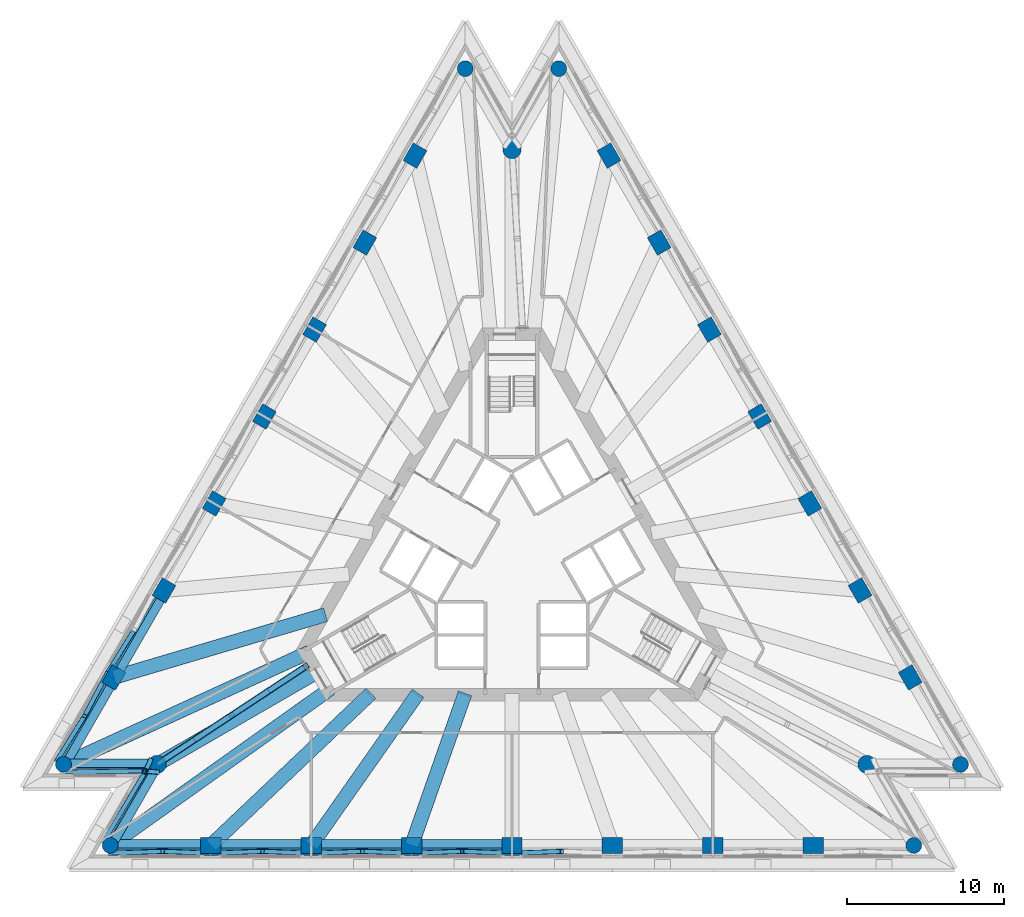
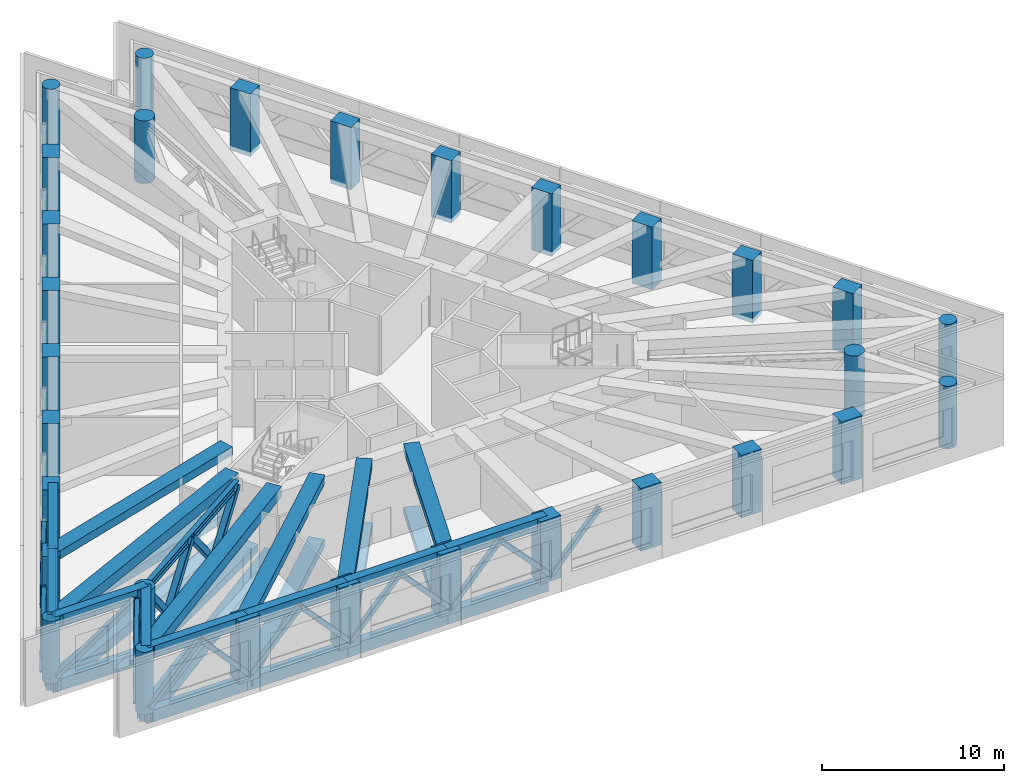
# One storey, part 1 of 13: 30 columns, 29 beams, 22 members.
"""IFC4 building model written with IfcOpenShell, lengths in metres."""

from ifc_helpers import new_model, si_unit, direction, frame, origin, origin_2d, place, context, subcontext, project, spatial, rectangle, hollow_rectangle, circle, i_section, extrude, material, material_profile, profile_set, type_object, element, save


model = new_model("IFC4")

# Units and contexts
model_context = context("Model", 3, precision=1e-05, world=origin(), true_north=direction((0.0, 1.0)))
body_context = subcontext(model_context, "Body", "Model", "MODEL_VIEW")
ifc_project = project(units=[si_unit("LENGTHUNIT", "METRE"), si_unit("AREAUNIT", "SQUARE_METRE"), si_unit("VOLUMEUNIT", "CUBIC_METRE"), si_unit("PLANEANGLEUNIT", "RADIAN"), si_unit("MASSUNIT", "GRAM", prefix="KILO")], contexts=[model_context])

# Site, building, storey
site_placement = place(None, origin())
site = spatial("IfcSite", under=ifc_project, at=site_placement, CompositionType="ELEMENT")
building_placement = place(site_placement, origin())
building = spatial("IfcBuilding", under=site, at=building_placement, Name="Triada Interchange Tower", CompositionType="ELEMENT")
storey_placement = place(building_placement, frame((0.0, 0.0, 176.300048828125)))
storey = spatial("IfcBuildingStorey", under=building, at=storey_placement, Name="L41", CompositionType="ELEMENT", Elevation=176.300048828125)

# Columns
ifc_material_1 = material(Name="Concrete C60/75", Category="concrete")
ifc_material_profile_1 = material_profile(ifc_material_1, rectangle(XDim=1.300048828125, YDim=1.0, at=origin_2d()), Name="RC 1300x1000")
ifc_profile_set_1 = profile_set([ifc_material_profile_1], Name="Concrete C60/75")
column_type_1 = type_object("IfcColumnType", Name="Column B face RC 1300x1000", PredefinedType="COLUMN", material=ifc_profile_set_1)
for number, where, z_axis, x_axis, name in (
    (1, (-6.159912109375, 25.652099609375, -0.300048828125), (0.0, 0.0, 1.0), (0.5, 0.866025403784, 0.0), "Column CB02 L41"),
    (2, (-9.34912109375, 20.1279296875, -0.300048828125), (0.0, 0.0, 1.0), (0.5, 0.866025403784, 0.0), "Column CB03 L41"),
    (3, (-12.5380859375, 14.60400390625, -0.300048828125), (0.0, 0.0, 1.0), (0.5, 0.866025403784, 0.0), "Column CB04 L41"),
    (4, (-15.72802734375, 9.080078125, -0.300048828125), (0.0, 0.0, 1.0), (0.5, 0.866025403784, 0.0), "Column CB05 L41"),
    (5, (-18.9169921875, 3.556884765625, -0.300048828125), (0.0, 0.0, 1.0), (0.5, 0.866025403784, 0.0), "Column CB06 L41"),
    (6, (-22.10595703125, -1.967041015625, -0.300048828125), (0.0, 0.0, 1.0), (0.5, 0.866025403784, 0.0), "Column CB07 L41"),
    (7, (-25.294921875, -7.490966796875, -0.300048828125), (0.0, 0.0, 1.0), (0.5, 0.866025403784, 0.0), "Column CB08 L41"),
    (8, (-19.135009765625, -18.160888671875, -0.300048828125), (0.0, 0.0, 1.0), (1.0, 0.0, 0.0), "Column CB11 L41"),
    (9, (-12.756103515625, -18.160888671875, -0.300048828125), (0.0, 0.0, 1.0), (1.0, 0.0, 0.0), "Column CB12 L41"),
    (10, (-6.3779296875, -18.160888671875, -0.300048828125), (0.0, 0.0, 1.0), (1.0, 0.0, 0.0), "Column CB13 L41"),
    (11, (0.0, -18.160888671875, -0.300048828125), (0.0, 0.0, 1.0), (1.0, 0.0, 0.0), "Column CB14 L41"),
    (12, (6.3779296875, -18.160888671875, -0.300048828125), (0.0, 0.0, 1.0), (1.0, 0.0, 0.0), "Column CB15 L41"),
    (13, (12.756103515625, -18.160888671875, -0.300048828125), (0.0, 0.0, 1.0), (1.0, 0.0, 0.0), "Column CB16 L41"),
    (14, (19.135009765625, -18.160888671875, -0.300048828125), (0.0, 0.0, 1.0), (1.0, 0.0, 0.0), "Column CB17 L41"),
    (15, (25.294921875, -7.490966796875, -0.300048828125), (0.0, 0.0, 1.0), (-0.5, 0.866025403784, 0.0), "Column CB20 L41"),
    (16, (22.10595703125, -1.967041015625, -0.300048828125), (0.0, 0.0, 1.0), (-0.5, 0.866025403784, 0.0), "Column CB21 L41"),
    (17, (18.9169921875, 3.556884765625, -0.300048828125), (0.0, 0.0, 1.0), (-0.5, 0.866025403784, 0.0), "Column CB22 L41"),
    (18, (15.72802734375, 9.080078125, -0.300048828125), (0.0, 0.0, 1.0), (-0.5, 0.866025403784, 0.0), "Column CB23 L41"),
    (19, (12.5380859375, 14.60400390625, -0.300048828125), (0.0, 0.0, 1.0), (-0.5, 0.866025403784, 0.0), "Column CB24 L41"),
    (20, (9.34912109375, 20.1279296875, -0.300048828125), (0.0, 0.0, 1.0), (-0.5, 0.866025403784, 0.0), "Column CB25 L41"),
    (21, (6.159912109375, 25.652099609375, -0.300048828125), (0.0, 0.0, 1.0), (-0.5, 0.866025403784, 0.0), "Column CB26 L41"),
):
    element("IfcColumn", number, at=place(storey_placement, frame(where, z_axis=z_axis, x_axis=x_axis)), inside=storey, type_object=column_type_1, Name=name, PredefinedType="COLUMN", context=body_context, shape_type="SweptSolid", body=[
        extrude(rectangle(XDim=1.300048828125, YDim=1.0, at=origin_2d()), origin(), (0.0, 0.0, 1.0), 4.199951171875),
    ])
ifc_material_profile_2 = material_profile(ifc_material_1, circle(Radius=0.5, at=origin_2d()), Name="RC D1000")
ifc_profile_set_2 = profile_set([ifc_material_profile_2], Name="Concrete C60/75")
column_type_2 = type_object("IfcColumnType", Name="End column B RC D1000", PredefinedType="COLUMN", material=ifc_profile_set_2)
for number, where, z_axis, x_axis, name in (
    (22, (-2.970947265625, 31.176025390625, -0.300048828125), (0.0, 0.0, 1.0), (0.5, 0.866025403784, 0.0), "Column CB01 L41"),
    (23, (-28.48388671875, -13.014892578125, -0.300048828125), (0.0, 0.0, 1.0), (0.5, 0.866025403784, 0.0), "Column CB09 L41"),
    (24, (-25.512939453125, -18.160888671875, -0.300048828125), (0.0, 0.0, 1.0), (1.0, 0.0, 0.0), "Column CB10 L41"),
    (25, (25.512939453125, -18.160888671875, -0.300048828125), (0.0, 0.0, 1.0), (1.0, 0.0, 0.0), "Column CB18 L41"),
    (26, (28.48388671875, -13.014892578125, -0.300048828125), (0.0, 0.0, 1.0), (-0.5, 0.866025403784, 0.0), "Column CB19 L41"),
    (27, (2.970947265625, 31.176025390625, -0.300048828125), (0.0, 0.0, 1.0), (-0.5, 0.866025403784, 0.0), "Column CB27 L41"),
):
    element("IfcColumn", number, at=place(storey_placement, frame(where, z_axis=z_axis, x_axis=x_axis)), inside=storey, type_object=column_type_2, Name=name, PredefinedType="COLUMN", context=body_context, shape_type="SweptSolid", body=[
        extrude(circle(Radius=0.5, at=origin_2d()), origin(), (0.0, 0.0, 1.0), 4.199951171875),
    ])
ifc_material_profile_3 = material_profile(ifc_material_1, circle(Radius=0.574951171875, at=origin_2d()), Name="RC D1150")
ifc_profile_set_3 = profile_set([ifc_material_profile_3], Name="Concrete C60/75")
column_type_3 = type_object("IfcColumnType", Name="Mega column B RC D1150", PredefinedType="COLUMN", material=ifc_profile_set_3)
for number, where, z_axis, x_axis, name in (
    (28, (0.0, 26.029052734375, -0.300048828125), (0.0, 0.0, 1.0), (1.0, 0.0, 0.0), "Column MB1 L41"),
    (29, (-22.5419921875, -13.014892578125, -0.300048828125), (0.0, 0.0, 1.0), (1.0, 0.0, 0.0), "Column MB2 L41"),
    (30, (22.5419921875, -13.014892578125, -0.300048828125), (0.0, 0.0, 1.0), (1.0, 0.0, 0.0), "Column MB3 L41"),
):
    element("IfcColumn", number, at=place(storey_placement, frame(where, z_axis=z_axis, x_axis=x_axis)), inside=storey, type_object=column_type_3, Name=name, PredefinedType="COLUMN", context=body_context, shape_type="SweptSolid", body=[
        extrude(circle(Radius=0.574951171875, at=origin_2d()), origin(), (0.0, 0.0, 1.0), 4.199951171875),
    ])

# Members
ifc_material_2 = material(Name="Steel S355", Category="steel")
ifc_material_profile_4 = material_profile(ifc_material_2, hollow_rectangle(XDim=0.300048828125, YDim=0.300048828125, WallThickness=0.01611328125, InnerFilletRadius=0.01611328125, OuterFilletRadius=0.02392578125, at=origin_2d()), Name="RHS 300x300x16")
ifc_profile_set_4 = profile_set([ifc_material_profile_4], Name="Steel S355")
member_type_1 = type_object("IfcMemberType", Name="Belt truss diagonal RHS 300x300x16", PredefinedType="BRACE", material=ifc_profile_set_4)
member_1_placement = place(storey_placement, frame((-25.718994140625, -7.24609375, 0.14990234375), z_axis=(0.370221509735, 0.594725830219, 0.713608590615), x_axis=(-0.848947810431, 0.528476693114, 0.0)))
element("IfcMember", 31, at=member_1_placement, inside=storey, type_object=member_type_1, Name="Belt truss diagonal 014 L41", PredefinedType="BRACE", context=body_context, shape_type="SweptSolid", body=[
    extrude(hollow_rectangle(XDim=0.300048828125, YDim=0.300048828125, WallThickness=0.01611328125, InnerFilletRadius=0.01611328125, OuterFilletRadius=0.02392578125, at=origin_2d()), origin(), (0.0, 0.0, 1.0), 4.694580078125),
])
member_2_placement = place(storey_placement, frame((-25.718994140625, -7.24609375, 0.14990234375), z_axis=(-0.315651230764, -0.595164946455, 0.739014876053), x_axis=(0.883441546283, -0.468541390169, 0.0)))
element("IfcMember", 32, at=member_2_placement, inside=storey, type_object=member_type_1, Name="Belt truss diagonal 015 L41", PredefinedType="BRACE", context=body_context, shape_type="SweptSolid", body=[
    extrude(hollow_rectangle(XDim=0.300048828125, YDim=0.300048828125, WallThickness=0.01611328125, InnerFilletRadius=0.01611328125, OuterFilletRadius=0.02392578125, at=origin_2d()), origin(), (0.0, 0.0, 1.0), 4.533203125),
])
member_3_placement = place(storey_placement, frame((-28.907958984375, -12.77001953125, 0.14990234375), z_axis=(0.372290989201, 0.598426357451, 0.709426045524), x_axis=(-0.849096817899, 0.528237251464, 0.0)))
element("IfcMember", 33, at=member_3_placement, inside=storey, type_object=member_type_1, Name="Belt truss diagonal 016 L41", PredefinedType="BRACE", context=body_context, shape_type="SweptSolid", body=[
    extrude(hollow_rectangle(XDim=0.300048828125, YDim=0.300048828125, WallThickness=0.01611328125, InnerFilletRadius=0.01611328125, OuterFilletRadius=0.02392578125, at=origin_2d()), origin(), (0.0, 0.0, 1.0), 4.72216796875),
])
member_4_placement = place(storey_placement, frame((-28.48388671875, -13.5048828125, 0.14990234375), z_axis=(0.837009093569, 0.013195371022, 0.547029852446), x_axis=(-0.015762948922, 0.999875757002, 0.0)))
element("IfcMember", 34, at=member_4_placement, inside=storey, type_object=member_type_1, Name="Belt truss diagonal 017 L41", PredefinedType="BRACE", context=body_context, shape_type="SweptSolid", body=[
    extrude(hollow_rectangle(XDim=0.300048828125, YDim=0.300048828125, WallThickness=0.01611328125, InnerFilletRadius=0.01611328125, OuterFilletRadius=0.02392578125, at=origin_2d()), origin(), (0.0, 0.0, 1.0), 6.124267578125),
])
for number, where, z_axis, x_axis, name in (
    (35, (-22.5419921875, -13.5048828125, 0.14990234375), (-0.236568463179, 0.023430329537, 0.971332271618), (-0.098560260005, -0.995131084404, 0.0), "Belt truss diagonal 018 L41"),
    (36, (-22.966064453125, -12.77001953125, 0.14990234375), (-0.098254815796, -0.216330487805, 0.971363531958), (0.910488876588, -0.41353356044, 0.0), "Belt truss diagonal 019 L41"),
):
    element("IfcMember", number, at=place(storey_placement, frame(where, z_axis=z_axis, x_axis=x_axis)), inside=storey, type_object=member_type_1, Name=name, PredefinedType="BRACE", context=body_context, shape_type="SweptSolid", body=[
        extrude(hollow_rectangle(XDim=0.300048828125, YDim=0.300048828125, WallThickness=0.01611328125, InnerFilletRadius=0.01611328125, OuterFilletRadius=0.02392578125, at=origin_2d()), origin(), (0.0, 0.0, 1.0), 3.448974609375),
    ])
member_5_placement = place(storey_placement, frame((-25.93701171875, -17.916015625, 0.14990234375), z_axis=(0.429758774702, 0.718403917789, 0.546994704245), x_axis=(-0.858168637925, 0.51336788844, 0.0)))
element("IfcMember", 37, at=member_5_placement, inside=storey, type_object=member_type_1, Name="Belt truss diagonal 020 L41", PredefinedType="BRACE", context=body_context, shape_type="SweptSolid", body=[
    extrude(hollow_rectangle(XDim=0.300048828125, YDim=0.300048828125, WallThickness=0.01611328125, InnerFilletRadius=0.01611328125, OuterFilletRadius=0.02392578125, at=origin_2d()), origin(), (0.0, 0.0, 1.0), 6.12451171875),
])
member_6_placement = place(storey_placement, frame((-25.512939453125, -18.65087890625, 0.14990234375), z_axis=(0.704247197935, 0.023269787728, 0.709573393793), x_axis=(-0.033024051015, 0.999454557273, 0.0)))
element("IfcMember", 38, at=member_6_placement, inside=storey, type_object=member_type_1, Name="Belt truss diagonal 021 L41", PredefinedType="BRACE", context=body_context, shape_type="SweptSolid", body=[
    extrude(hollow_rectangle(XDim=0.300048828125, YDim=0.300048828125, WallThickness=0.01611328125, InnerFilletRadius=0.01611328125, OuterFilletRadius=0.02392578125, at=origin_2d()), origin(), (0.0, 0.0, 1.0), 4.72119140625),
])
member_7_placement = place(storey_placement, frame((-19.135009765625, -18.65087890625, 0.14990234375), z_axis=(-0.673372658136, 0.024231723004, 0.738906006793), x_axis=(-0.035962328334, -0.999353146261, 0.0)))
element("IfcMember", 39, at=member_7_placement, inside=storey, type_object=member_type_1, Name="Belt truss diagonal 022 L41", PredefinedType="BRACE", context=body_context, shape_type="SweptSolid", body=[
    extrude(hollow_rectangle(XDim=0.300048828125, YDim=0.300048828125, WallThickness=0.01611328125, InnerFilletRadius=0.01611328125, OuterFilletRadius=0.02392578125, at=origin_2d()), origin(), (0.0, 0.0, 1.0), 4.533935546875),
])
member_8_placement = place(storey_placement, frame((-19.135009765625, -18.65087890625, 0.14990234375), z_axis=(0.700172876806, 0.023401499893, 0.713589736745), x_axis=(-0.033403808058, 0.999441937087, 0.0)))
element("IfcMember", 40, at=member_8_placement, inside=storey, type_object=member_type_1, Name="Belt truss diagonal 023 L41", PredefinedType="BRACE", context=body_context, shape_type="SweptSolid", body=[
    extrude(hollow_rectangle(XDim=0.300048828125, YDim=0.300048828125, WallThickness=0.01611328125, InnerFilletRadius=0.01611328125, OuterFilletRadius=0.02392578125, at=origin_2d()), origin(), (0.0, 0.0, 1.0), 4.69482421875),
])
member_9_placement = place(storey_placement, frame((-12.756103515625, -18.65087890625, 0.14990234375), z_axis=(-0.678012063542, 0.024092342751, 0.734655838276), x_axis=(-0.035511384424, -0.999369271879, 0.0)))
element("IfcMember", 41, at=member_9_placement, inside=storey, type_object=member_type_1, Name="Belt truss diagonal 024 L41", PredefinedType="BRACE", context=body_context, shape_type="SweptSolid", body=[
    extrude(hollow_rectangle(XDim=0.300048828125, YDim=0.300048828125, WallThickness=0.01611328125, InnerFilletRadius=0.01611328125, OuterFilletRadius=0.02392578125, at=origin_2d()), origin(), (0.0, 0.0, 1.0), 4.56005859375),
])
member_10_placement = place(storey_placement, frame((-12.756103515625, -18.65087890625, 0.14990234375), z_axis=(0.695786211157, 0.023541638723, 0.717863036804), x_axis=(-0.033815236512, 0.999428101356, 0.0)))
element("IfcMember", 42, at=member_10_placement, inside=storey, type_object=member_type_1, Name="Belt truss diagonal 025 L41", PredefinedType="BRACE", context=body_context, shape_type="SweptSolid", body=[
    extrude(hollow_rectangle(XDim=0.300048828125, YDim=0.300048828125, WallThickness=0.01611328125, InnerFilletRadius=0.01611328125, OuterFilletRadius=0.02392578125, at=origin_2d()), origin(), (0.0, 0.0, 1.0), 4.666748046875),
])
member_11_placement = place(storey_placement, frame((-6.3779296875, -18.65087890625, 0.14990234375), z_axis=(-0.682628684295, 0.023951883659, 0.730372772389), x_axis=(-0.035066140133, -0.999384993792, 0.0)))
element("IfcMember", 43, at=member_11_placement, inside=storey, type_object=member_type_1, Name="Belt truss diagonal 026 L41", PredefinedType="BRACE", context=body_context, shape_type="SweptSolid", body=[
    extrude(hollow_rectangle(XDim=0.300048828125, YDim=0.300048828125, WallThickness=0.01611328125, InnerFilletRadius=0.01611328125, OuterFilletRadius=0.02392578125, at=origin_2d()), origin(), (0.0, 0.0, 1.0), 4.5869140625),
])
member_12_placement = place(storey_placement, frame((-6.3779296875, -18.65087890625, 0.14990234375), z_axis=(0.691430158414, 0.023679115014, 0.722055147165), x_axis=(-0.03422651032, 0.999414101357, 0.0)))
element("IfcMember", 44, at=member_12_placement, inside=storey, type_object=member_type_1, Name="Belt truss diagonal 027 L41", PredefinedType="BRACE", context=body_context, shape_type="SweptSolid", body=[
    extrude(hollow_rectangle(XDim=0.300048828125, YDim=0.300048828125, WallThickness=0.01611328125, InnerFilletRadius=0.01611328125, OuterFilletRadius=0.02392578125, at=origin_2d()), origin(), (0.0, 0.0, 1.0), 4.6396484375),
])
for number, where, z_axis, x_axis, name in (
    (45, (0.0, -18.65087890625, 0.14990234375), (-0.68710913024, 0.023813856177, 0.726163854371), (-0.03463724413, -0.99939995063, 0.0), "Belt truss diagonal 028 L41"),
    (46, (0.0, -18.65087890625, 0.14990234375), (0.68710913024, 0.023813856177, 0.726163854371), (-0.03463724413, 0.99939995063, 0.0), "Belt truss diagonal 029 L41"),
):
    element("IfcMember", number, at=place(storey_placement, frame(where, z_axis=z_axis, x_axis=x_axis)), inside=storey, type_object=member_type_1, Name=name, PredefinedType="BRACE", context=body_context, shape_type="SweptSolid", body=[
        extrude(hollow_rectangle(XDim=0.300048828125, YDim=0.300048828125, WallThickness=0.01611328125, InnerFilletRadius=0.01611328125, OuterFilletRadius=0.02392578125, at=origin_2d()), origin(), (0.0, 0.0, 1.0), 4.613525390625),
    ])
ifc_material_3 = material(Name="Steel S460M", Category="steel")
ifc_material_profile_5 = material_profile(ifc_material_3, i_section(OverallWidth=0.305908203125, OverallDepth=0.52392578125, WebThickness=0.02099609375, FlangeThickness=0.0400390625, FilletRadius=0.027099609375, at=origin_2d()), Name="HEM 500")
ifc_profile_set_5 = profile_set([ifc_material_profile_5], Name="Steel S460M")
member_type_2 = type_object("IfcMemberType", Name="Outrigger chord HEM 500", PredefinedType="CHORD", material=ifc_profile_set_5)
for number, where, z_axis, x_axis, name in (
    (47, (-13.080078125, -6.781005859375, 0.261962890625), (-0.835054495263, -0.550167238158, 0.0), (0.550167238158, -0.835054495263, 0.0), "Outrigger bottom chord SW L41"),
    (48, (-13.080078125, -6.781005859375, 3.637939453125), (-0.835054495263, -0.550167238158, 0.0), (0.550167238158, -0.835054495263, 0.0), "Outrigger top chord SW L41"),
):
    element("IfcMember", number, at=place(storey_placement, frame(where, z_axis=z_axis, x_axis=x_axis)), inside=storey, type_object=member_type_2, Name=name, PredefinedType="CHORD", context=body_context, shape_type="SweptSolid", body=[
        extrude(i_section(OverallWidth=0.305908203125, OverallDepth=0.52392578125, WebThickness=0.02099609375, FlangeThickness=0.0400390625, FilletRadius=0.027099609375, at=origin_2d()), origin(), (0.0, 0.0, 1.0), 11.330810546875),
    ])
ifc_material_profile_6 = material_profile(ifc_material_2, hollow_rectangle(XDim=0.39990234375, YDim=0.39990234375, WallThickness=0.02001953125, InnerFilletRadius=0.02001953125, OuterFilletRadius=0.030029296875, at=origin_2d()), Name="RHS 400x400x20")
ifc_profile_set_6 = profile_set([ifc_material_profile_6], Name="Steel S355")
member_type_3 = type_object("IfcMemberType", Name="Outrigger diagonal RHS 400x400x20", PredefinedType="BRACE", material=ifc_profile_set_6)
for number, where, z_axis, x_axis, name in (
    (49, (-13.080078125, -6.781005859375, 3.637939453125), (-0.536651152986, -0.353778699594, -0.766058856559), (0.550396661027, -0.834903297113, 0.0), "Outrigger diagonal SW 1 L41"),
    (50, (-15.445068359375, -8.340087890625, 0.261962890625), (-0.536861482006, -0.353494285077, 0.766042779195), (0.54993778541, -0.835205622693, 0.0), "Outrigger diagonal SW 2 L41"),
    (51, (-17.81103515625, -9.89794921875, 3.637939453125), (-0.536651152986, -0.353778699594, -0.766058856559), (0.550396661027, -0.834903297113, 0.0), "Outrigger diagonal SW 3 L41"),
    (52, (-20.176025390625, -11.45703125, 0.261962890625), (-0.536861482006, -0.353494285077, 0.766042779195), (0.54993778541, -0.835205622693, 0.0), "Outrigger diagonal SW 4 L41"),
):
    element("IfcMember", number, at=place(storey_placement, frame(where, z_axis=z_axis, x_axis=x_axis)), inside=storey, type_object=member_type_3, Name=name, PredefinedType="BRACE", context=body_context, shape_type="SweptSolid", body=[
        extrude(hollow_rectangle(XDim=0.39990234375, YDim=0.39990234375, WallThickness=0.02001953125, InnerFilletRadius=0.02001953125, OuterFilletRadius=0.030029296875, at=origin_2d()), origin(), (0.0, 0.0, 1.0), 4.406982421875),
    ])

# Beams
ifc_material_4 = material(Name="Concrete C50/60", Category="concrete")
ifc_material_profile_7 = material_profile(ifc_material_4, rectangle(XDim=0.89990234375, YDim=0.5, at=origin_2d()), Name="RC 900x500")
ifc_profile_set_7 = profile_set([ifc_material_profile_7], Name="Concrete C50/60")
beam_type_1 = type_object("IfcBeamType", Name="Radial band beam B RC 900x500", PredefinedType="BEAM", material=ifc_profile_set_7)
beam_1_placement = place(storey_placement, frame((-22.5419921875, -13.014892578125, -0.550048828125), z_axis=(0.866014702245, 0.500018535151, 0.0), x_axis=(-0.500018535151, 0.866014702245, 0.0)))
element("IfcBeam", 53, at=beam_1_placement, inside=storey, type_object=beam_type_1, Name="Radial band beam BB10 L41", PredefinedType="BEAM", context=body_context, shape_type="SweptSolid", body=[
    extrude(rectangle(XDim=0.89990234375, YDim=0.5, at=origin_2d()), origin(), (0.0, 0.0, 1.0), 11.7294921875),
])
beam_2_placement = place(storey_placement, frame((-12.756103515625, -18.160888671875, -0.550048828125), z_axis=(0.574756084693, 0.818324778501, 0.0), x_axis=(-0.818324778501, 0.574756084693, 0.0)))
element("IfcBeam", 54, at=beam_2_placement, inside=storey, type_object=beam_type_1, Name="Radial band beam BB13 L41", PredefinedType="BEAM", context=body_context, shape_type="SweptSolid", body=[
    extrude(rectangle(XDim=0.89990234375, YDim=0.5, at=origin_2d()), origin(), (0.0, 0.0, 1.0), 11.683349609375),
])
beam_3_placement = place(storey_placement, frame((-6.3779296875, -18.160888671875, -0.550048828125), z_axis=(0.331372969314, 0.943499843777, 0.0), x_axis=(-0.943499843777, 0.331372969314, 0.0)))
element("IfcBeam", 55, at=beam_3_placement, inside=storey, type_object=beam_type_1, Name="Radial band beam BB14 L41", PredefinedType="BEAM", context=body_context, shape_type="SweptSolid", body=[
    extrude(rectangle(XDim=0.89990234375, YDim=0.5, at=origin_2d()), origin(), (0.0, 0.0, 1.0), 10.13330078125),
])
beam_4_placement = place(storey_placement, frame((-12.677978515625, -18.051025390625, 3.64990234375), z_axis=(0.574743397387, 0.818333689371, 0.0), x_axis=(-0.818333689371, 0.574743397387, 0.0)))
element("IfcBeam", 56, at=beam_4_placement, inside=storey, type_object=beam_type_1, Name="Radial band beam BB13 L42", PredefinedType="BEAM", context=body_context, shape_type="SweptSolid", body=[
    extrude(rectangle(XDim=0.89990234375, YDim=0.5, at=origin_2d()), origin(), (0.0, 0.0, 1.0), 11.67138671875),
])
beam_5_placement = place(storey_placement, frame((-6.339111328125, -18.051025390625, 3.64990234375), z_axis=(0.331331074889, 0.943514556757, 0.0), x_axis=(-0.943514556757, 0.331331074889, 0.0)))
element("IfcBeam", 57, at=beam_5_placement, inside=storey, type_object=beam_type_1, Name="Radial band beam BB14 L42", PredefinedType="BEAM", context=body_context, shape_type="SweptSolid", body=[
    extrude(rectangle(XDim=0.89990234375, YDim=0.5, at=origin_2d()), origin(), (0.0, 0.0, 1.0), 10.122802734375),
])
ifc_material_profile_8 = material_profile(ifc_material_4, rectangle(XDim=0.89990234375, YDim=0.550048828125, at=origin_2d()), Name="RC 900x550")
ifc_profile_set_8 = profile_set([ifc_material_profile_8], Name="Concrete C50/60")
beam_type_2 = type_object("IfcBeamType", Name="Radial band beam B RC 900x550", PredefinedType="BEAM", material=ifc_profile_set_8)
for number, where, z_axis, x_axis, name in (
    (58, (-25.294921875, -7.490966796875, -0.574951171875), (0.958835345118, 0.283962640066, 0.0), (-0.283962640066, 0.958835345118, 0.0), "Radial band beam BB08 L41"),
    (59, (-19.135009765625, -18.160888671875, -0.574951171875), (0.725340357785, 0.688390416383, 0.0), (-0.688390416383, 0.725340357785, 0.0), "Radial band beam BB12 L41"),
):
    element("IfcBeam", number, at=place(storey_placement, frame(where, z_axis=z_axis, x_axis=x_axis)), inside=storey, type_object=beam_type_2, Name=name, PredefinedType="BEAM", context=body_context, shape_type="SweptSolid", body=[
        extrude(rectangle(XDim=0.89990234375, YDim=0.550048828125, at=origin_2d()), origin(), (0.0, 0.0, 1.0), 13.888671875),
    ])
beam_6_placement = place(storey_placement, frame((-25.14111328125, -7.444091796875, 3.625), z_axis=(0.958839823279, 0.283947518557, 0.0), x_axis=(-0.283947518557, 0.958839823279, 0.0)))
element("IfcBeam", 60, at=beam_6_placement, inside=storey, type_object=beam_type_2, Name="Radial band beam BB08 L42", PredefinedType="BEAM", context=body_context, shape_type="SweptSolid", body=[
    extrude(rectangle(XDim=0.89990234375, YDim=0.550048828125, at=origin_2d()), origin(), (0.0, 0.0, 1.0), 13.873046875),
])
beam_7_placement = place(storey_placement, frame((-19.01806640625, -18.051025390625, 3.625), z_axis=(0.725316566669, 0.68841548364, 0.0), x_axis=(-0.68841548364, 0.725316566669, 0.0)))
element("IfcBeam", 61, at=beam_7_placement, inside=storey, type_object=beam_type_2, Name="Radial band beam BB12 L42", PredefinedType="BEAM", context=body_context, shape_type="SweptSolid", body=[
    extrude(rectangle(XDim=0.89990234375, YDim=0.550048828125, at=origin_2d()), origin(), (0.0, 0.0, 1.0), 13.8740234375),
])
ifc_material_profile_9 = material_profile(ifc_material_4, rectangle(XDim=0.89990234375, YDim=0.699951171875, at=origin_2d()), Name="RC 900x700")
ifc_profile_set_9 = profile_set([ifc_material_profile_9], Name="Concrete C50/60")
beam_type_3 = type_object("IfcBeamType", Name="Radial band beam B RC 900x700", PredefinedType="BEAM", material=ifc_profile_set_9)
beam_8_placement = place(storey_placement, frame((-28.48388671875, -13.014892578125, -0.650146484375), z_axis=(0.909557853329, 0.415577323068, 0.0), x_axis=(-0.415577323068, 0.909557853329, 0.0)))
element("IfcBeam", 62, at=beam_8_placement, inside=storey, type_object=beam_type_3, Name="Radial band beam BB09 L41", PredefinedType="BEAM", context=body_context, shape_type="SweptSolid", body=[
    extrude(rectangle(XDim=0.89990234375, YDim=0.699951171875, at=origin_2d()), origin(), (0.0, 0.0, 1.0), 16.9521484375),
])
beam_9_placement = place(storey_placement, frame((-25.512939453125, -18.160888671875, -0.650146484375), z_axis=(0.814667579529, 0.579928215269, 0.0), x_axis=(-0.579928215269, 0.814667579529, 0.0)))
element("IfcBeam", 63, at=beam_9_placement, inside=storey, type_object=beam_type_3, Name="Radial band beam BB11 L41", PredefinedType="BEAM", context=body_context, shape_type="SweptSolid", body=[
    extrude(rectangle(XDim=0.89990234375, YDim=0.699951171875, at=origin_2d()), origin(), (0.0, 0.0, 1.0), 16.95166015625),
])
beam_10_placement = place(storey_placement, frame((-28.31103515625, -12.93408203125, 3.550048828125), z_axis=(0.90955799647, 0.41557700978, 0.0), x_axis=(-0.41557700978, 0.90955799647, 0.0)))
element("IfcBeam", 64, at=beam_10_placement, inside=storey, type_object=beam_type_3, Name="Radial band beam BB09 L42", PredefinedType="BEAM", context=body_context, shape_type="SweptSolid", body=[
    extrude(rectangle(XDim=0.89990234375, YDim=0.699951171875, at=origin_2d()), origin(), (0.0, 0.0, 1.0), 16.986328125),
])
beam_11_placement = place(storey_placement, frame((-25.35693359375, -18.051025390625, 3.550048828125), z_axis=(0.814674365044, 0.579918683041, 0.0), x_axis=(-0.579918683041, 0.814674365044, 0.0)))
element("IfcBeam", 65, at=beam_11_placement, inside=storey, type_object=beam_type_3, Name="Radial band beam BB11 L42", PredefinedType="BEAM", context=body_context, shape_type="SweptSolid", body=[
    extrude(rectangle(XDim=0.89990234375, YDim=0.699951171875, at=origin_2d()), origin(), (0.0, 0.0, 1.0), 16.987060546875),
])
ifc_material_profile_10 = material_profile(ifc_material_4, rectangle(XDim=0.550048828125, YDim=0.800048828125, at=origin_2d()), Name="RC 550x800")
ifc_profile_set_10 = profile_set([ifc_material_profile_10], Name="Concrete C50/60")
beam_type_4 = type_object("IfcBeamType", Name="Spandrel beam B RC 550x800", PredefinedType="BEAM", material=ifc_profile_set_10)
for number, where, z_axis, x_axis, name in (
    (66, (-22.10595703125, -1.967041015625, -0.699951171875), (-0.499967640965, -0.866044085476, 0.0), (0.866044085476, -0.499967640965, 0.0), "Spandrel beam EB07 L41"),
    (67, (-25.294921875, -7.490966796875, -0.699951171875), (-0.499967640965, -0.866044085476, 0.0), (0.866044085476, -0.499967640965, 0.0), "Spandrel beam EB08 L41"),
):
    element("IfcBeam", number, at=place(storey_placement, frame(where, z_axis=z_axis, x_axis=x_axis)), inside=storey, type_object=beam_type_4, Name=name, PredefinedType="BEAM", context=body_context, shape_type="SweptSolid", body=[
        extrude(rectangle(XDim=0.550048828125, YDim=0.800048828125, at=origin_2d()), origin(), (0.0, 0.0, 1.0), 6.37841796875),
    ])
beam_12_placement = place(storey_placement, frame((-28.48388671875, -13.014892578125, -0.699951171875), z_axis=(1.0, 0.0, 0.0), x_axis=(0.0, 1.0, 0.0)))
element("IfcBeam", 68, at=beam_12_placement, inside=storey, type_object=beam_type_4, Name="Spandrel beam EB09 L41", PredefinedType="BEAM", context=body_context, shape_type="SweptSolid", body=[
    extrude(rectangle(XDim=0.550048828125, YDim=0.800048828125, at=origin_2d()), origin(), (0.0, 0.0, 1.0), 5.94189453125),
])
beam_13_placement = place(storey_placement, frame((-22.5419921875, -13.014892578125, -0.699951171875), z_axis=(-0.499988013614, -0.866032324017, 0.0), x_axis=(0.866032324017, -0.499988013614, 0.0)))
element("IfcBeam", 69, at=beam_13_placement, inside=storey, type_object=beam_type_4, Name="Spandrel beam EB10 L41", PredefinedType="BEAM", context=body_context, shape_type="SweptSolid", body=[
    extrude(rectangle(XDim=0.550048828125, YDim=0.800048828125, at=origin_2d()), origin(), (0.0, 0.0, 1.0), 5.942138671875),
])
beam_14_placement = place(storey_placement, frame((-25.512939453125, -18.160888671875, -0.699951171875), z_axis=(1.0, 0.0, 0.0), x_axis=(0.0, 1.0, 0.0)))
element("IfcBeam", 70, at=beam_14_placement, inside=storey, type_object=beam_type_4, Name="Spandrel beam EB11 L41", PredefinedType="BEAM", context=body_context, shape_type="SweptSolid", body=[
    extrude(rectangle(XDim=0.550048828125, YDim=0.800048828125, at=origin_2d()), origin(), (0.0, 0.0, 1.0), 6.3779296875),
])
beam_15_placement = place(storey_placement, frame((-19.135009765625, -18.160888671875, -0.699951171875), z_axis=(1.0, 0.0, 0.0), x_axis=(0.0, 1.0, 0.0)))
element("IfcBeam", 71, at=beam_15_placement, inside=storey, type_object=beam_type_4, Name="Spandrel beam EB12 L41", PredefinedType="BEAM", context=body_context, shape_type="SweptSolid", body=[
    extrude(rectangle(XDim=0.550048828125, YDim=0.800048828125, at=origin_2d()), origin(), (0.0, 0.0, 1.0), 6.37890625),
])
beam_16_placement = place(storey_placement, frame((-12.756103515625, -18.160888671875, -0.699951171875), z_axis=(1.0, 0.0, 0.0), x_axis=(0.0, 1.0, 0.0)))
element("IfcBeam", 72, at=beam_16_placement, inside=storey, type_object=beam_type_4, Name="Spandrel beam EB13 L41", PredefinedType="BEAM", context=body_context, shape_type="SweptSolid", body=[
    extrude(rectangle(XDim=0.550048828125, YDim=0.800048828125, at=origin_2d()), origin(), (0.0, 0.0, 1.0), 6.378173828125),
])
beam_17_placement = place(storey_placement, frame((-6.3779296875, -18.160888671875, -0.699951171875), z_axis=(1.0, 0.0, 0.0), x_axis=(0.0, 1.0, 0.0)))
element("IfcBeam", 73, at=beam_17_placement, inside=storey, type_object=beam_type_4, Name="Spandrel beam EB14 L41", PredefinedType="BEAM", context=body_context, shape_type="SweptSolid", body=[
    extrude(rectangle(XDim=0.550048828125, YDim=0.800048828125, at=origin_2d()), origin(), (0.0, 0.0, 1.0), 6.3779296875),
])
beam_18_placement = place(storey_placement, frame((-21.971923828125, -1.9541015625, 3.5), z_axis=(-0.49994582465, -0.866056679678, 0.0), x_axis=(0.866056679678, -0.49994582465, 0.0)))
element("IfcBeam", 74, at=beam_18_placement, inside=storey, type_object=beam_type_4, Name="Spandrel beam EB07 L42", PredefinedType="BEAM", context=body_context, shape_type="SweptSolid", body=[
    extrude(rectangle(XDim=0.550048828125, YDim=0.800048828125, at=origin_2d()), origin(), (0.0, 0.0, 1.0), 6.339111328125),
])
beam_19_placement = place(storey_placement, frame((-25.14111328125, -7.444091796875, 3.5), z_axis=(-0.500032479136, -0.866006651134, 0.0), x_axis=(0.866006651134, -0.500032479136, 0.0)))
element("IfcBeam", 75, at=beam_19_placement, inside=storey, type_object=beam_type_4, Name="Spandrel beam EB08 L42", PredefinedType="BEAM", context=body_context, shape_type="SweptSolid", body=[
    extrude(rectangle(XDim=0.550048828125, YDim=0.800048828125, at=origin_2d()), origin(), (0.0, 0.0, 1.0), 6.33935546875),
])
beam_20_placement = place(storey_placement, frame((-28.31103515625, -12.93408203125, 3.5), z_axis=(1.0, 0.0, 0.0), x_axis=(0.0, 1.0, 0.0)))
element("IfcBeam", 76, at=beam_20_placement, inside=storey, type_object=beam_type_4, Name="Spandrel beam EB09 L42", PredefinedType="BEAM", context=body_context, shape_type="SweptSolid", body=[
    extrude(rectangle(XDim=0.550048828125, YDim=0.800048828125, at=origin_2d()), origin(), (0.0, 0.0, 1.0), 5.907958984375),
])
beam_21_placement = place(storey_placement, frame((-22.403076171875, -12.93408203125, 3.5), z_axis=(-0.499947801097, -0.866055538738, 0.0), x_axis=(0.866055538738, -0.499947801097, 0.0)))
element("IfcBeam", 77, at=beam_21_placement, inside=storey, type_object=beam_type_4, Name="Spandrel beam EB10 L42", PredefinedType="BEAM", context=body_context, shape_type="SweptSolid", body=[
    extrude(rectangle(XDim=0.550048828125, YDim=0.800048828125, at=origin_2d()), origin(), (0.0, 0.0, 1.0), 5.908447265625),
])
beam_22_placement = place(storey_placement, frame((-25.35693359375, -18.051025390625, 3.5), z_axis=(1.0, 0.0, 0.0), x_axis=(0.0, 1.0, 0.0)))
element("IfcBeam", 78, at=beam_22_placement, inside=storey, type_object=beam_type_4, Name="Spandrel beam EB11 L42", PredefinedType="BEAM", context=body_context, shape_type="SweptSolid", body=[
    extrude(rectangle(XDim=0.550048828125, YDim=0.800048828125, at=origin_2d()), origin(), (0.0, 0.0, 1.0), 6.3388671875),
])
beam_23_placement = place(storey_placement, frame((-19.01806640625, -18.051025390625, 3.5), z_axis=(1.0, 0.0, 0.0), x_axis=(0.0, 1.0, 0.0)))
element("IfcBeam", 79, at=beam_23_placement, inside=storey, type_object=beam_type_4, Name="Spandrel beam EB12 L42", PredefinedType="BEAM", context=body_context, shape_type="SweptSolid", body=[
    extrude(rectangle(XDim=0.550048828125, YDim=0.800048828125, at=origin_2d()), origin(), (0.0, 0.0, 1.0), 6.340087890625),
])
beam_24_placement = place(storey_placement, frame((-12.677978515625, -18.051025390625, 3.5), z_axis=(1.0, 0.0, 0.0), x_axis=(0.0, 1.0, 0.0)))
element("IfcBeam", 80, at=beam_24_placement, inside=storey, type_object=beam_type_4, Name="Spandrel beam EB13 L42", PredefinedType="BEAM", context=body_context, shape_type="SweptSolid", body=[
    extrude(rectangle(XDim=0.550048828125, YDim=0.800048828125, at=origin_2d()), origin(), (0.0, 0.0, 1.0), 6.3388671875),
])
beam_25_placement = place(storey_placement, frame((-6.339111328125, -18.051025390625, 3.5), z_axis=(1.0, 0.0, 0.0), x_axis=(0.0, 1.0, 0.0)))
element("IfcBeam", 81, at=beam_25_placement, inside=storey, type_object=beam_type_4, Name="Spandrel beam EB14 L42", PredefinedType="BEAM", context=body_context, shape_type="SweptSolid", body=[
    extrude(rectangle(XDim=0.550048828125, YDim=0.800048828125, at=origin_2d()), origin(), (0.0, 0.0, 1.0), 6.339111328125),
])

save(model, "model.ifc")
